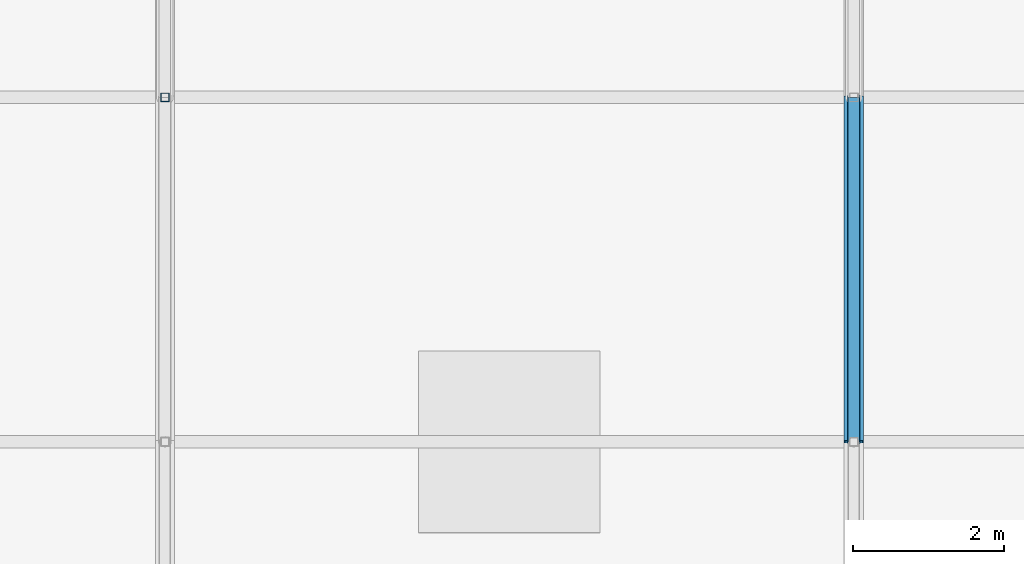
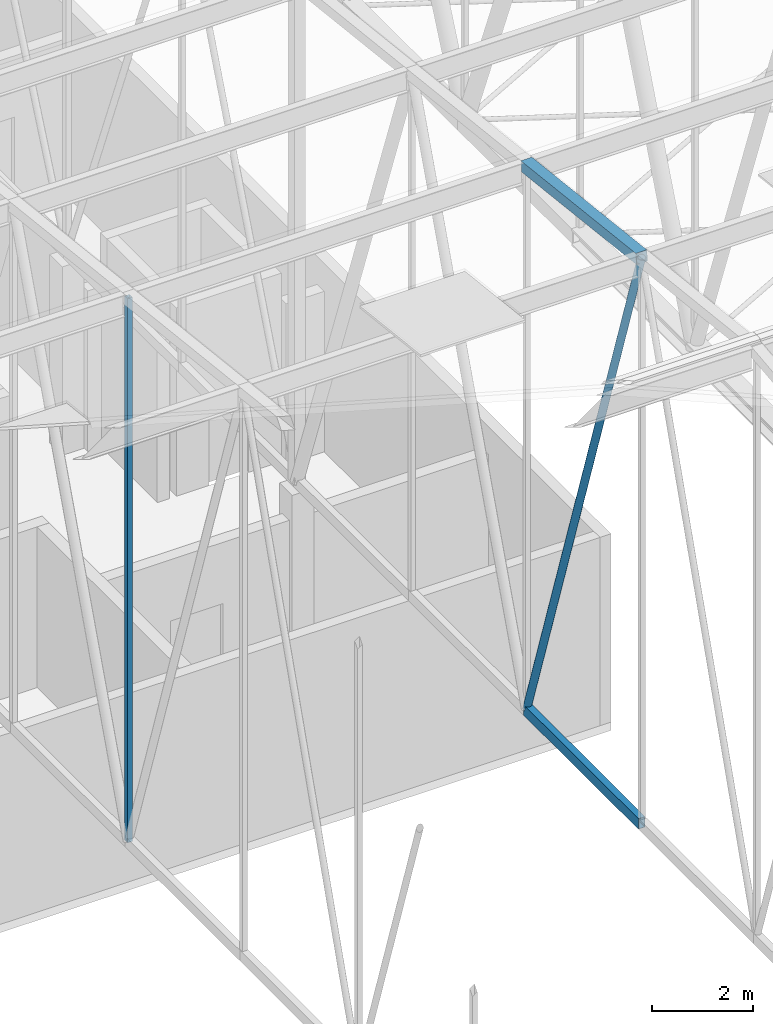
# One storey, part 196 of 500: 4 members.
"""IFC4 building model written with IfcOpenShell, lengths in metres."""

from ifc_helpers import new_model, si_unit, direction, frame, origin, origin_2d, place, context, subcontext, project, spatial, hollow_rectangle, hollow_circle, extrude, material, material_profile, profile_set, type_object, element, save


model = new_model("IFC4")

# Units and contexts
model_context = context("Model", 3, precision=1e-05, world=origin(), true_north=direction((0.0, 1.0)))
body_context = subcontext(model_context, "Body", "Model", "MODEL_VIEW")
ifc_project = project(units=[si_unit("LENGTHUNIT", "METRE"), si_unit("AREAUNIT", "SQUARE_METRE"), si_unit("VOLUMEUNIT", "CUBIC_METRE"), si_unit("PLANEANGLEUNIT", "RADIAN"), si_unit("MASSUNIT", "GRAM", prefix="KILO")], contexts=[model_context])

# Site, building, storey
site_placement = place(None, origin())
site = spatial("IfcSite", under=ifc_project, at=site_placement, CompositionType="ELEMENT")
building_placement = place(site_placement, origin())
building = spatial("IfcBuilding", under=site, at=building_placement, Name="Shirokan Park Arena", CompositionType="ELEMENT")
storey_placement = place(building_placement, frame((0.0, 0.0, 29.1201171875)))
storey = spatial("IfcBuildingStorey", under=building, at=storey_placement, Name="L06", CompositionType="ELEMENT", Elevation=29.1201171875)

# Members
ifc_material = material(Name="Steel ASTM A500 Grade C", Category="steel")
ifc_material_profile_1 = material_profile(ifc_material, hollow_rectangle(XDim=0.152099609375, YDim=0.25390625, WallThickness=0.009521484375, at=origin_2d()), Name="HSS254X152.4X9.5")
ifc_profile_set_1 = profile_set([ifc_material_profile_1], Name="Steel ASTM A500 Grade C")
member_type_1 = type_object("IfcMemberType", Name="Bottom chord HSS254X152.4X9.5", PredefinedType="CHORD", material=ifc_profile_set_1)
member_1_placement = place(storey_placement, frame((36.39990234375, 59.14990234375, 4.677001953125), z_axis=(0.0, 1.0, 0.0), x_axis=(-1.0, 0.0, 0.0)))
element("IfcMember", 1, at=member_1_placement, inside=storey, type_object=member_type_1, Name="Truss T05 bottom chord 16", PredefinedType="CHORD", context=body_context, shape_type="SweptSolid", body=[
    extrude(hollow_rectangle(XDim=0.152099609375, YDim=0.25390625, WallThickness=0.009521484375, at=origin_2d()), origin(), (0.0, 0.0, 1.0), 4.550048828125),
])
ifc_material_profile_2 = material_profile(ifc_material, hollow_rectangle(XDim=0.25390625, YDim=0.25390625, WallThickness=0.009521484375, at=origin_2d()), Name="HSS254X254X9.5")
ifc_profile_set_2 = profile_set([ifc_material_profile_2], Name="Steel ASTM A500 Grade C")
member_type_2 = type_object("IfcMemberType", Name="Top chord HSS254X254X9.5", PredefinedType="CHORD", material=ifc_profile_set_2)
member_2_placement = place(storey_placement, frame((36.39990234375, 59.14990234375, 18.3427734375), z_axis=(0.0, 0.993538341779, -0.113496975353), x_axis=(-1.0, 0.0, 0.0)))
element("IfcMember", 2, at=member_2_placement, inside=storey, type_object=member_type_2, Name="Truss T05 top chord 16", PredefinedType="CHORD", context=body_context, shape_type="SweptSolid", body=[
    extrude(hollow_rectangle(XDim=0.25390625, YDim=0.25390625, WallThickness=0.009521484375, at=origin_2d()), origin(), (0.0, 0.0, 1.0), 4.57958984375),
])
ifc_material_profile_3 = material_profile(ifc_material, hollow_circle(Radius=0.083984375, WallThickness=0.009521484375, at=origin_2d()), Name="HSS168.3X9.5")
ifc_profile_set_3 = profile_set([ifc_material_profile_3], Name="Steel ASTM A500 Grade C")
member_type_3 = type_object("IfcMemberType", Name="Truss diagonal HSS168.3X9.5", PredefinedType="BRACE", material=ifc_profile_set_3)
member_3_placement = place(storey_placement, frame((36.39990234375, 59.14990234375, 18.3427734375), z_axis=(0.0, 0.315902302102, -0.948791723998), x_axis=(-1.0, 0.0, 0.0)))
element("IfcMember", 3, at=member_3_placement, inside=storey, type_object=member_type_3, Name="Truss T05 diagonal 16", PredefinedType="BRACE", context=body_context, shape_type="SweptSolid", body=[
    extrude(hollow_circle(Radius=0.083984375, WallThickness=0.009521484375, at=origin_2d()), origin(), (0.0, 0.0, 1.0), 14.4033203125),
])
ifc_material_profile_4 = material_profile(ifc_material, hollow_rectangle(XDim=0.114013671875, YDim=0.114013671875, WallThickness=0.00634765625, at=origin_2d()), Name="HSS114.3X114.3X6.4")
ifc_profile_set_4 = profile_set([ifc_material_profile_4], Name="Steel ASTM A500 Grade C")
member_type_4 = type_object("IfcMemberType", Name="Truss post HSS114.3X114.3X6.4", PredefinedType="POST", material=ifc_profile_set_4)
member_4_placement = place(storey_placement, frame((27.300048828125, 63.699951171875, 4.677001953125), z_axis=(0.0, 0.0, 1.0), x_axis=(1.0, 0.0, 0.0)))
element("IfcMember", 4, at=member_4_placement, inside=storey, type_object=member_type_4, Name="Truss T04 post 17", PredefinedType="POST", context=body_context, shape_type="SweptSolid", body=[
    extrude(hollow_rectangle(XDim=0.114013671875, YDim=0.114013671875, WallThickness=0.00634765625, at=origin_2d()), origin(), (0.0, 0.0, 1.0), 13.14599609375),
])

save(model, "model.ifc")
